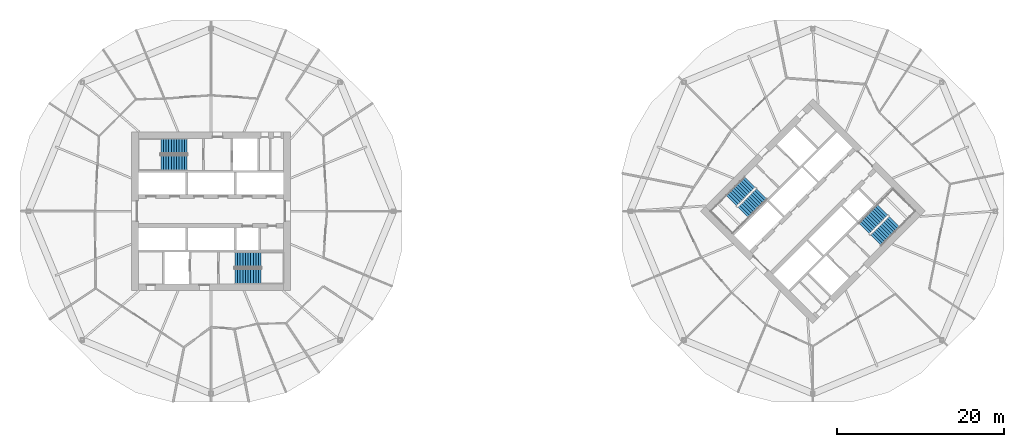
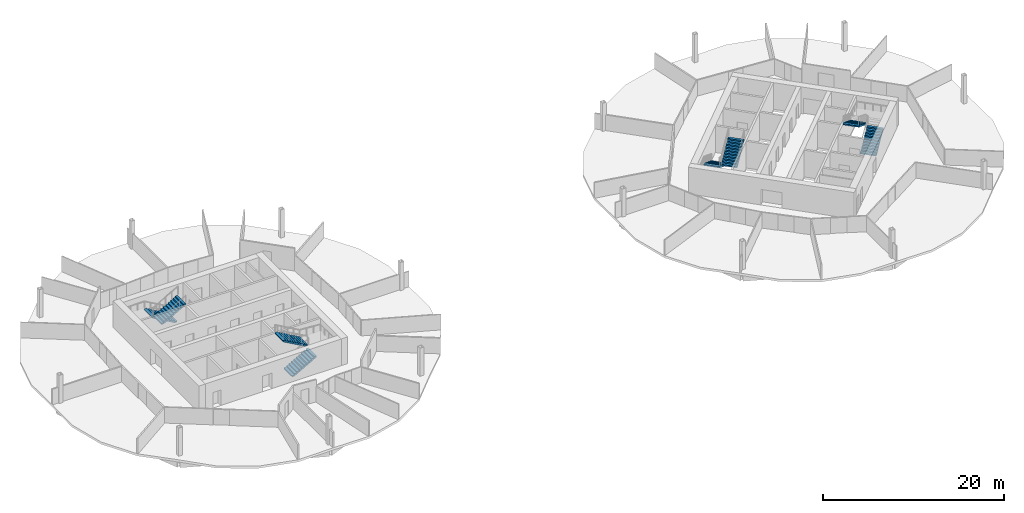
# One storey, part 8 of 9: 8 stair flights, 4 elements without a shape of their own.
"""IFC4 building model written with IfcOpenShell, lengths in metres."""

from ifc_helpers import new_model, si_unit, direction, frame, origin, place, context, subcontext, project, spatial, polyline, outline, extrude, material, type_object, element, aggregate, save


model = new_model("IFC4")

# Units and contexts
model_context = context("Model", 3, precision=1e-05, world=origin(), true_north=direction((0.0, 1.0)))
body_context = subcontext(model_context, "Body", "Model", "MODEL_VIEW")
ifc_project = project(units=[si_unit("LENGTHUNIT", "METRE"), si_unit("AREAUNIT", "SQUARE_METRE"), si_unit("VOLUMEUNIT", "CUBIC_METRE"), si_unit("PLANEANGLEUNIT", "RADIAN"), si_unit("MASSUNIT", "GRAM", prefix="KILO")], contexts=[model_context])

# Site, building, storey
site_placement = place(None, origin())
site = spatial("IfcSite", under=ifc_project, at=site_placement, CompositionType="ELEMENT")
building_placement = place(site_placement, origin())
building = spatial("IfcBuilding", under=site, at=building_placement, Name="Ogive Gate Towers", CompositionType="ELEMENT")
storey_placement = place(building_placement, frame((0.0, 0.0, 48.0)))
storey = spatial("IfcBuildingStorey", under=building, at=storey_placement, Name="L10", CompositionType="ELEMENT", Elevation=48.0)

# Stair, stair flights
ifc_material = material(Name="Concrete C40/50", Category="concrete")
stair_type = type_object("IfcStairType", Name="Escape stair 1840 wide", PredefinedType="HALF_TURN_STAIR", material=ifc_material)
stair_1_placement = place(storey_placement, origin())
stair_1 = element("IfcStair", 1, at=stair_1_placement, inside=storey, type_object=stair_type, Name="L10 Escape stair 1", PredefinedType="HALF_TURN_STAIR")
stair_flight_type = type_object("IfcStairFlightType", Name="Stair flight 1840 wide", PredefinedType="STRAIGHT", material=ifc_material)
stair_flight_1_placement = place(storey_placement, frame((-38.864990234375, 7.780029296875, 0.0), z_axis=(0.0, 0.0, 1.0), x_axis=(-1.0, 0.0, 0.0)))
stair_flight_1 = element("IfcStairFlight", 2, at=stair_flight_1_placement, type_object=stair_flight_type, Name="ST1 flight 1", NumberOfRisers=11, NumberOfTreads=10, PredefinedType="STRAIGHT", RiserHeight=0.177272727, TreadLength=0.313636364, context=body_context, shape_type="SweptSolid", body=[
    extrude(outline(polyline([(0.0, 0.0), (0.0, 0.17724609375), (0.313720703125, 0.17724609375), (0.313720703125, 0.3544921875), (0.627197265625, 0.3544921875), (0.627197265625, 0.53173828125), (0.94091796875, 0.53173828125), (0.94091796875, 0.708984375), (1.254638671875, 0.708984375), (1.254638671875, 0.886474609375), (1.568115234375, 0.886474609375), (1.568115234375, 1.063720703125), (1.8818359375, 1.063720703125), (1.8818359375, 1.240966796875), (2.195556640625, 1.240966796875), (2.195556640625, 1.418212890625), (2.509033203125, 1.418212890625), (2.509033203125, 1.595458984375), (2.82275390625, 1.595458984375), (2.82275390625, 1.772705078125), (3.136474609375, 1.772705078125), (3.136474609375, 1.949951171875), (3.136474609375, 1.6005859375), (0.3046875, 0.0), (0.0, 0.0)])), frame((0.0, 0.919921875, 0.0), z_axis=(0.0, -1.0, 0.0), x_axis=(1.0, 0.0, 0.0)), (0.0, 0.0, 1.0), 1.840087890625),
])
stair_flight_2_placement = place(storey_placement, frame((-42.00146484375, 5.794921875, 1.949951171875), z_axis=(0.0, 0.0, 1.0), x_axis=(1.0, 0.0, 0.0)))
stair_flight_2 = element("IfcStairFlight", 3, at=stair_flight_2_placement, type_object=stair_flight_type, Name="ST1 flight 2", NumberOfRisers=11, NumberOfTreads=10, PredefinedType="STRAIGHT", RiserHeight=0.177272727, TreadLength=0.313636364, context=body_context, shape_type="SweptSolid", body=[
    extrude(outline(polyline([(0.0, 0.0), (0.0, 0.17724609375), (0.313720703125, 0.17724609375), (0.313720703125, 0.3544921875), (0.627197265625, 0.3544921875), (0.627197265625, 0.53173828125), (0.94091796875, 0.53173828125), (0.94091796875, 0.708984375), (1.254638671875, 0.708984375), (1.254638671875, 0.886474609375), (1.568115234375, 0.886474609375), (1.568115234375, 1.063720703125), (1.8818359375, 1.063720703125), (1.8818359375, 1.240966796875), (2.195556640625, 1.240966796875), (2.195556640625, 1.418212890625), (2.509033203125, 1.418212890625), (2.509033203125, 1.595458984375), (2.82275390625, 1.595458984375), (2.82275390625, 1.772705078125), (3.136474609375, 1.772705078125), (3.136474609375, 1.949951171875), (3.136474609375, 1.6005859375), (0.3046875, 0.0), (0.0, 0.0)])), frame((0.0, 0.919921875, 0.0), z_axis=(0.0, -1.0, 0.0), x_axis=(1.0, 0.0, 0.0)), (0.0, 0.0, 1.0), 1.840087890625),
])
aggregate(stair_1, [stair_flight_1, stair_flight_2])

stair_2_placement = place(storey_placement, origin())
stair_2 = element("IfcStair", 4, at=stair_2_placement, inside=storey, type_object=stair_type, Name="L10 Escape stair 2", PredefinedType="HALF_TURN_STAIR")
stair_flight_3_placement = place(storey_placement, frame((-33.135009765625, -7.780029296875, 0.0), z_axis=(0.0, 0.0, 1.0), x_axis=(1.0, 0.0, 0.0)))
stair_flight_3 = element("IfcStairFlight", 5, at=stair_flight_3_placement, type_object=stair_flight_type, Name="ST2 flight 1", NumberOfRisers=11, NumberOfTreads=10, PredefinedType="STRAIGHT", RiserHeight=0.177272727, TreadLength=0.313636364, context=body_context, shape_type="SweptSolid", body=[
    extrude(outline(polyline([(0.0, 0.0), (0.0, 0.17724609375), (0.313720703125, 0.17724609375), (0.313720703125, 0.3544921875), (0.627197265625, 0.3544921875), (0.627197265625, 0.53173828125), (0.94091796875, 0.53173828125), (0.94091796875, 0.708984375), (1.254638671875, 0.708984375), (1.254638671875, 0.886474609375), (1.568115234375, 0.886474609375), (1.568115234375, 1.063720703125), (1.8818359375, 1.063720703125), (1.8818359375, 1.240966796875), (2.195556640625, 1.240966796875), (2.195556640625, 1.418212890625), (2.509033203125, 1.418212890625), (2.509033203125, 1.595458984375), (2.82275390625, 1.595458984375), (2.82275390625, 1.772705078125), (3.136474609375, 1.772705078125), (3.136474609375, 1.949951171875), (3.136474609375, 1.6005859375), (0.3046875, 0.0), (0.0, 0.0)])), frame((0.0, 0.919921875, 0.0), z_axis=(0.0, -1.0, 0.0), x_axis=(1.0, 0.0, 0.0)), (0.0, 0.0, 1.0), 1.840087890625),
])
stair_flight_4_placement = place(storey_placement, frame((-29.99853515625, -5.794921875, 1.949951171875), z_axis=(0.0, 0.0, 1.0), x_axis=(-1.0, 0.0, 0.0)))
stair_flight_4 = element("IfcStairFlight", 6, at=stair_flight_4_placement, type_object=stair_flight_type, Name="ST2 flight 2", NumberOfRisers=11, NumberOfTreads=10, PredefinedType="STRAIGHT", RiserHeight=0.177272727, TreadLength=0.313636364, context=body_context, shape_type="SweptSolid", body=[
    extrude(outline(polyline([(0.0, 0.0), (0.0, 0.17724609375), (0.313720703125, 0.17724609375), (0.313720703125, 0.3544921875), (0.627197265625, 0.3544921875), (0.627197265625, 0.53173828125), (0.94091796875, 0.53173828125), (0.94091796875, 0.708984375), (1.254638671875, 0.708984375), (1.254638671875, 0.886474609375), (1.568115234375, 0.886474609375), (1.568115234375, 1.063720703125), (1.8818359375, 1.063720703125), (1.8818359375, 1.240966796875), (2.195556640625, 1.240966796875), (2.195556640625, 1.418212890625), (2.509033203125, 1.418212890625), (2.509033203125, 1.595458984375), (2.82275390625, 1.595458984375), (2.82275390625, 1.772705078125), (3.136474609375, 1.772705078125), (3.136474609375, 1.949951171875), (3.136474609375, 1.6005859375), (0.3046875, 0.0), (0.0, 0.0)])), frame((0.0, 0.919921875, 0.0), z_axis=(0.0, -1.0, 0.0), x_axis=(1.0, 0.0, 0.0)), (0.0, 0.0, 1.0), 1.840087890625),
])
aggregate(stair_2, [stair_flight_3, stair_flight_4])

stair_3_placement = place(storey_placement, origin())
stair_3 = element("IfcStair", 7, at=stair_3_placement, inside=storey, type_object=stair_type, Name="L10 Escape stair 1", PredefinedType="HALF_TURN_STAIR")
stair_flight_5_placement = place(storey_placement, frame((28.472900390625, 3.475341796875, 0.0), z_axis=(0.0, 0.0, 1.0), x_axis=(-0.707106781187, -0.707106781187, 0.0)))
stair_flight_5 = element("IfcStairFlight", 8, at=stair_flight_5_placement, type_object=stair_flight_type, Name="ST1 flight 1", NumberOfRisers=11, NumberOfTreads=10, PredefinedType="STRAIGHT", RiserHeight=0.177272727, TreadLength=0.313636364, context=body_context, shape_type="SweptSolid", body=[
    extrude(outline(polyline([(0.0, 0.0), (0.0, 0.17724609375), (0.313720703125, 0.17724609375), (0.313720703125, 0.3544921875), (0.627197265625, 0.3544921875), (0.627197265625, 0.53173828125), (0.94091796875, 0.53173828125), (0.94091796875, 0.708984375), (1.254638671875, 0.708984375), (1.254638671875, 0.886474609375), (1.568115234375, 0.886474609375), (1.568115234375, 1.063720703125), (1.8818359375, 1.063720703125), (1.8818359375, 1.240966796875), (2.195556640625, 1.240966796875), (2.195556640625, 1.418212890625), (2.509033203125, 1.418212890625), (2.509033203125, 1.595458984375), (2.82275390625, 1.595458984375), (2.82275390625, 1.772705078125), (3.136474609375, 1.772705078125), (3.136474609375, 1.949951171875), (3.136474609375, 1.6005859375), (0.3046875, 0.0), (0.0, 0.0)])), frame((0.0, 0.919921875, 0.0), z_axis=(0.0, -1.0, 0.0), x_axis=(1.0, 0.0, 0.0)), (0.0, 0.0, 1.0), 1.840087890625),
])
stair_flight_6_placement = place(storey_placement, frame((27.65869140625, -0.14599609375, 1.949951171875), z_axis=(0.0, 0.0, 1.0), x_axis=(0.707106781187, 0.707106781187, 0.0)))
stair_flight_6 = element("IfcStairFlight", 9, at=stair_flight_6_placement, type_object=stair_flight_type, Name="ST1 flight 2", NumberOfRisers=11, NumberOfTreads=10, PredefinedType="STRAIGHT", RiserHeight=0.177272727, TreadLength=0.313636364, context=body_context, shape_type="SweptSolid", body=[
    extrude(outline(polyline([(0.0, 0.0), (0.0, 0.17724609375), (0.313720703125, 0.17724609375), (0.313720703125, 0.3544921875), (0.627197265625, 0.3544921875), (0.627197265625, 0.53173828125), (0.94091796875, 0.53173828125), (0.94091796875, 0.708984375), (1.254638671875, 0.708984375), (1.254638671875, 0.886474609375), (1.568115234375, 0.886474609375), (1.568115234375, 1.063720703125), (1.8818359375, 1.063720703125), (1.8818359375, 1.240966796875), (2.195556640625, 1.240966796875), (2.195556640625, 1.418212890625), (2.509033203125, 1.418212890625), (2.509033203125, 1.595458984375), (2.82275390625, 1.595458984375), (2.82275390625, 1.772705078125), (3.136474609375, 1.772705078125), (3.136474609375, 1.949951171875), (3.136474609375, 1.6005859375), (0.3046875, 0.0), (0.0, 0.0)])), frame((0.0, 0.919921875, 0.0), z_axis=(0.0, -1.0, 0.0), x_axis=(1.0, 0.0, 0.0)), (0.0, 0.0, 1.0), 1.840087890625),
])
aggregate(stair_3, [stair_flight_5, stair_flight_6])

stair_4_placement = place(storey_placement, origin())
stair_4 = element("IfcStair", 10, at=stair_4_placement, inside=storey, type_object=stair_type, Name="L10 Escape stair 2", PredefinedType="HALF_TURN_STAIR")
stair_flight_7_placement = place(storey_placement, frame((43.527099609375, -3.475341796875, 0.0), z_axis=(0.0, 0.0, 1.0), x_axis=(0.707106781187, 0.707106781187, 0.0)))
stair_flight_7 = element("IfcStairFlight", 11, at=stair_flight_7_placement, type_object=stair_flight_type, Name="ST2 flight 1", NumberOfRisers=11, NumberOfTreads=10, PredefinedType="STRAIGHT", RiserHeight=0.177272727, TreadLength=0.313636364, context=body_context, shape_type="SweptSolid", body=[
    extrude(outline(polyline([(0.0, 0.0), (0.0, 0.17724609375), (0.313720703125, 0.17724609375), (0.313720703125, 0.3544921875), (0.627197265625, 0.3544921875), (0.627197265625, 0.53173828125), (0.94091796875, 0.53173828125), (0.94091796875, 0.708984375), (1.254638671875, 0.708984375), (1.254638671875, 0.886474609375), (1.568115234375, 0.886474609375), (1.568115234375, 1.063720703125), (1.8818359375, 1.063720703125), (1.8818359375, 1.240966796875), (2.195556640625, 1.240966796875), (2.195556640625, 1.418212890625), (2.509033203125, 1.418212890625), (2.509033203125, 1.595458984375), (2.82275390625, 1.595458984375), (2.82275390625, 1.772705078125), (3.136474609375, 1.772705078125), (3.136474609375, 1.949951171875), (3.136474609375, 1.6005859375), (0.3046875, 0.0), (0.0, 0.0)])), frame((0.0, 0.919921875, 0.0), z_axis=(0.0, -1.0, 0.0), x_axis=(1.0, 0.0, 0.0)), (0.0, 0.0, 1.0), 1.840087890625),
])
stair_flight_8_placement = place(storey_placement, frame((44.34130859375, 0.14599609375, 1.949951171875), z_axis=(0.0, 0.0, 1.0), x_axis=(-0.707106781187, -0.707106781187, 0.0)))
stair_flight_8 = element("IfcStairFlight", 12, at=stair_flight_8_placement, type_object=stair_flight_type, Name="ST2 flight 2", NumberOfRisers=11, NumberOfTreads=10, PredefinedType="STRAIGHT", RiserHeight=0.177272727, TreadLength=0.313636364, context=body_context, shape_type="SweptSolid", body=[
    extrude(outline(polyline([(0.0, 0.0), (0.0, 0.17724609375), (0.313720703125, 0.17724609375), (0.313720703125, 0.3544921875), (0.627197265625, 0.3544921875), (0.627197265625, 0.53173828125), (0.94091796875, 0.53173828125), (0.94091796875, 0.708984375), (1.254638671875, 0.708984375), (1.254638671875, 0.886474609375), (1.568115234375, 0.886474609375), (1.568115234375, 1.063720703125), (1.8818359375, 1.063720703125), (1.8818359375, 1.240966796875), (2.195556640625, 1.240966796875), (2.195556640625, 1.418212890625), (2.509033203125, 1.418212890625), (2.509033203125, 1.595458984375), (2.82275390625, 1.595458984375), (2.82275390625, 1.772705078125), (3.136474609375, 1.772705078125), (3.136474609375, 1.949951171875), (3.136474609375, 1.6005859375), (0.3046875, 0.0), (0.0, 0.0)])), frame((0.0, 0.919921875, 0.0), z_axis=(0.0, -1.0, 0.0), x_axis=(1.0, 0.0, 0.0)), (0.0, 0.0, 1.0), 1.840087890625),
])
aggregate(stair_4, [stair_flight_7, stair_flight_8])

save(model, "model.ifc")
